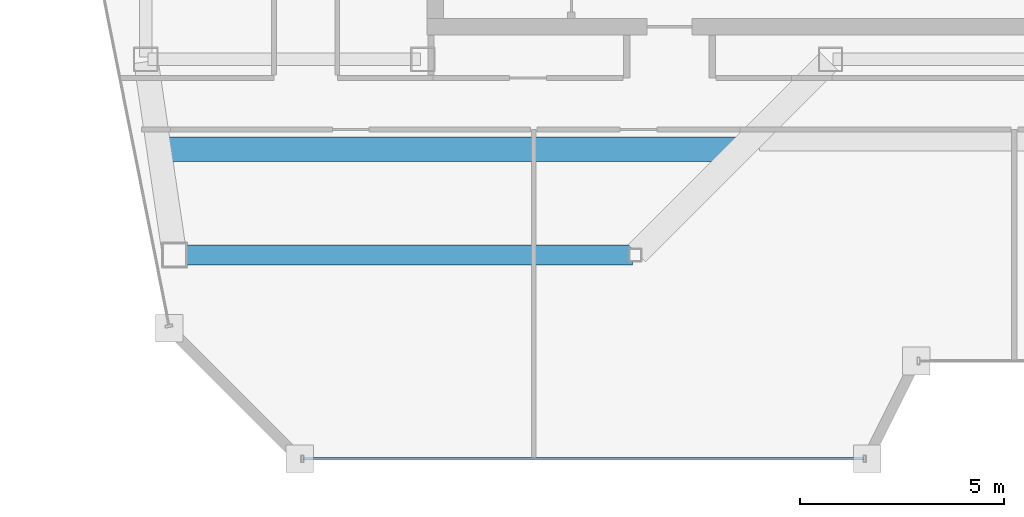
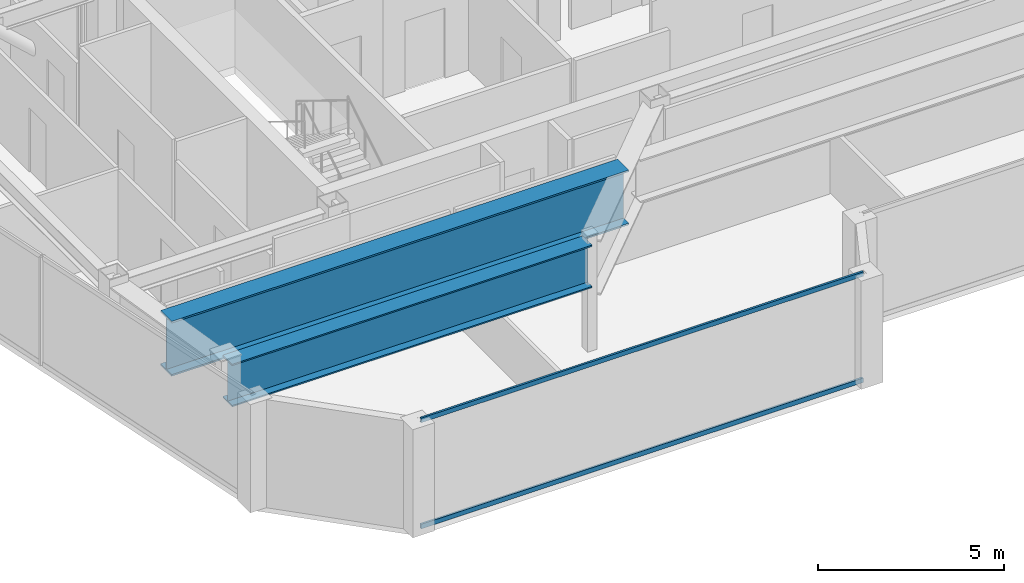
# One storey, part 4 of 24: 2 beams, 2 members, 1 element without a shape of its own.
"""IFC4 building model written with IfcOpenShell, lengths in metres."""

from ifc_helpers import new_model, si_unit, direction, frame, origin, origin_2d, place, context, subcontext, project, spatial, hollow_rectangle, i_section, extrude, material, material_profile, profile_set, type_object, element, aggregate, save


model = new_model("IFC4")

# Units and contexts
model_context = context("Model", 3, precision=1e-05, world=origin(), true_north=direction((0.0, 1.0)))
body_context = subcontext(model_context, "Body", "Model", "MODEL_VIEW")
ifc_project = project(units=[si_unit("LENGTHUNIT", "METRE"), si_unit("AREAUNIT", "SQUARE_METRE"), si_unit("VOLUMEUNIT", "CUBIC_METRE"), si_unit("PLANEANGLEUNIT", "RADIAN"), si_unit("MASSUNIT", "GRAM", prefix="KILO")], contexts=[model_context])

# Site, building, storey
site_placement = place(None, origin())
site = spatial("IfcSite", under=ifc_project, at=site_placement, CompositionType="ELEMENT")
building_placement = place(site_placement, origin())
building = spatial("IfcBuilding", under=site, at=building_placement, Name="Saevonmaru Cultural Tower", CompositionType="ELEMENT")
storey_placement = place(building_placement, frame((0.0, 0.0, 306.60009765625)))
storey = spatial("IfcBuildingStorey", under=building, at=storey_placement, Name="L73", CompositionType="ELEMENT", Elevation=306.60009765625)

# Beams
ifc_material_1 = material(Name="Steel HSA600 (600 MPa)", Category="steel")
ifc_material_profile_1 = material_profile(ifc_material_1, i_section(OverallWidth=0.5, OverallDepth=1.39990234375, WebThickness=0.02392578125, FlangeThickness=0.044921875, at=origin_2d()), Name="PG-1400x500x24x45")
ifc_profile_set_1 = profile_set([ifc_material_profile_1], Name="Steel HSA600 (600 MPa)")
beam_type_1 = type_object("IfcBeamType", Name="BM-TG-PG1400", PredefinedType="BEAM", material=ifc_profile_set_1)
beam_1_placement = place(storey_placement, frame((7.568115234375, 37.60009765625, 2.849853515625), z_axis=(1.0, 0.0, 0.0), x_axis=(0.0, 1.0, 0.0)))
element("IfcBeam", 1, at=beam_1_placement, inside=storey, type_object=beam_type_1, Name="L73 West Wing Transverse Girder 1", PredefinedType="BEAM", context=body_context, shape_type="SweptSolid", body=[
    extrude(i_section(OverallWidth=0.5, OverallDepth=1.39990234375, WebThickness=0.02392578125, FlangeThickness=0.044921875, at=origin_2d()), origin(), (0.0, 0.0, 1.0), 11.179931640625),
])
ifc_material_profile_2 = material_profile(ifc_material_1, i_section(OverallWidth=0.60009765625, OverallDepth=1.800048828125, WebThickness=0.028076171875, FlangeThickness=0.054931640625, at=origin_2d()), Name="PG-1800x600x28x55")
ifc_profile_set_2 = profile_set([ifc_material_profile_2], Name="Steel HSA600 (600 MPa)")
beam_type_2 = type_object("IfcBeamType", Name="BM-TG-PG1800", PredefinedType="BEAM", material=ifc_profile_set_2)
beam_2_placement = place(storey_placement, frame((7.16455078125, 40.199951171875, 2.64990234375), z_axis=(1.0, 0.0, 0.0), x_axis=(0.0, 1.0, 0.0)))
element("IfcBeam", 2, at=beam_2_placement, inside=storey, type_object=beam_type_2, Name="L73 Setback Transfer Plate Girder West", PredefinedType="BEAM", context=body_context, shape_type="SweptSolid", body=[
    extrude(i_section(OverallWidth=0.60009765625, OverallDepth=1.800048828125, WebThickness=0.028076171875, FlangeThickness=0.054931640625, at=origin_2d()), origin(), (0.0, 0.0, 1.0), 14.19921875),
])

# Curtain wall, members
ifc_material_2 = material(Name="Satin Bronze Anodised Aluminium", Category="aluminium")
curtain_wall_type = type_object("IfcCurtainWallType", Name="CW-TYP-B", PredefinedType="NOTDEFINED", material=ifc_material_2)
curtain_wall_placement = place(storey_placement, origin())
curtain_wall = element("IfcCurtainWall", 3, at=curtain_wall_placement, inside=storey, type_object=curtain_wall_type, Name="L73 Unitised Curtain Wall E2", PredefinedType="NOTDEFINED")
ifc_material_profile_3 = material_profile(ifc_material_2, hollow_rectangle(XDim=0.06494140625, YDim=0.14990234375, WallThickness=0.00390625, at=origin_2d()), Name="ALU-TRAN-150x65x4")
ifc_profile_set_3 = profile_set([ifc_material_profile_3], Name="Satin Bronze Anodised Aluminium")
member_type = type_object("IfcMemberType", Name="TR-CW-150x65", PredefinedType="USERDEFINED", material=ifc_profile_set_3)
member_1_placement = place(storey_placement, frame((10.672607421875, 32.60009765625, 0.032470703125), z_axis=(1.0, 0.0, 0.0), x_axis=(0.0, 1.0, 0.0)))
member_1 = element("IfcMember", 4, at=member_1_placement, type_object=member_type, Name="CW-TW-L73-E2 transom 1.1", ObjectType="TRANSOM", PredefinedType="USERDEFINED", context=body_context, shape_type="SweptSolid", body=[
    extrude(hollow_rectangle(XDim=0.06494140625, YDim=0.14990234375, WallThickness=0.00390625, at=origin_2d()), origin(), (0.0, 0.0, 1.0), 13.73486328125),
])
member_2_placement = place(storey_placement, frame((10.672607421875, 32.60009765625, 3.517333984375), z_axis=(1.0, 0.0, 0.0), x_axis=(0.0, 1.0, 0.0)))
member_2 = element("IfcMember", 5, at=member_2_placement, type_object=member_type, Name="CW-TW-L73-E2 transom 1.2", ObjectType="TRANSOM", PredefinedType="USERDEFINED", context=body_context, shape_type="SweptSolid", body=[
    extrude(hollow_rectangle(XDim=0.06494140625, YDim=0.14990234375, WallThickness=0.00390625, at=origin_2d()), origin(), (0.0, 0.0, 1.0), 13.73486328125),
])
aggregate(curtain_wall, [member_1, member_2])

save(model, "model.ifc")
